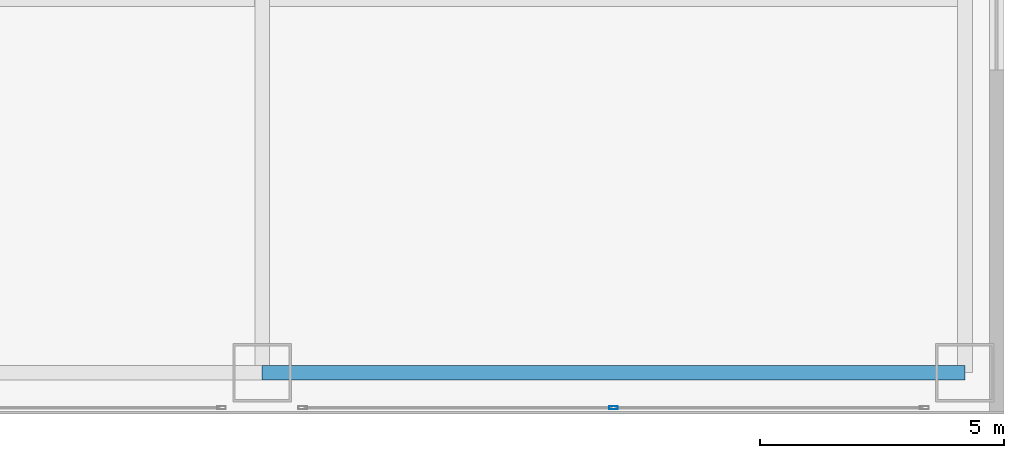
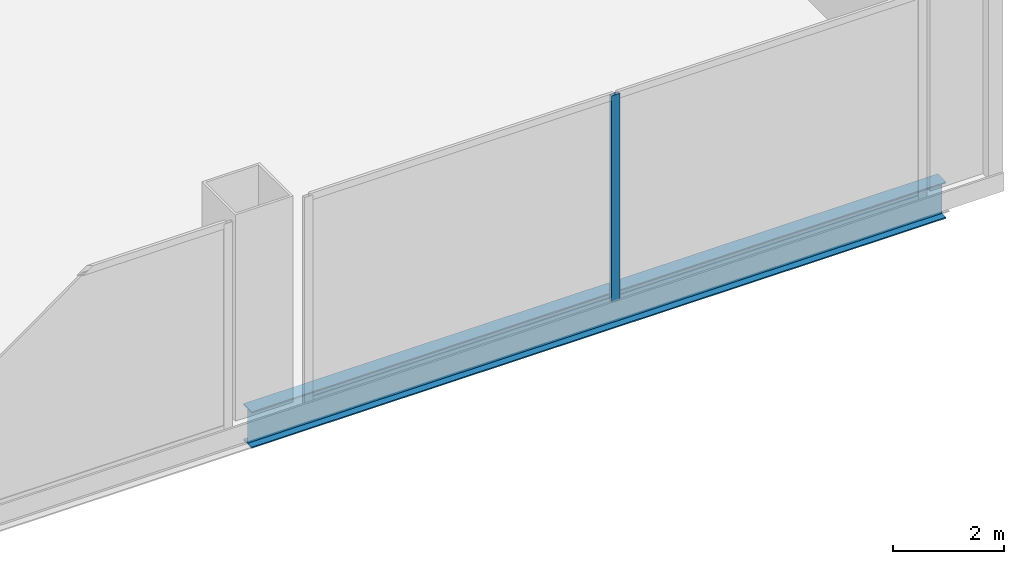
# One storey, part 14 of 40: 1 beam, 1 member, 1 element without a shape of its own.
"""IFC4 building model written with IfcOpenShell, lengths in metres."""

from ifc_helpers import new_model, si_unit, direction, frame, origin, origin_2d, place, context, subcontext, project, spatial, hollow_rectangle, i_section, extrude, source, transform, mapped, material, layer, layer_set, material_profile, profile_set, type_object, element, aggregate, save


model = new_model("IFC4")

# Units and contexts
model_context = context("Model", 3, precision=1e-05, world=origin(), true_north=direction((0.0, 1.0)))
body_context = subcontext(model_context, "Body", "Model", "MODEL_VIEW")
ifc_project = project(units=[si_unit("LENGTHUNIT", "METRE"), si_unit("AREAUNIT", "SQUARE_METRE"), si_unit("VOLUMEUNIT", "CUBIC_METRE"), si_unit("PLANEANGLEUNIT", "RADIAN"), si_unit("MASSUNIT", "GRAM", prefix="KILO"), si_unit("THERMODYNAMICTEMPERATUREUNIT", "KELVIN"), si_unit("POWERUNIT", "WATT")], contexts=[model_context])

# Site, building, storey
site_placement = place(None, origin())
site = spatial("IfcSite", under=ifc_project, at=site_placement, CompositionType="ELEMENT")
building_placement = place(site_placement, origin())
building = spatial("IfcBuilding", under=site, at=building_placement, Name="Yunzhuo Pagoda Commons", CompositionType="ELEMENT")
storey_placement = place(building_placement, frame((0.0, 0.0, 14.39990234375)))
storey = spatial("IfcBuildingStorey", under=building, at=storey_placement, Name="L04", CompositionType="ELEMENT", Elevation=14.39990234375)

# Beam
ifc_material_1 = material(Name="Structural steel Q355B", Category="steel")
ifc_material_profile_1 = material_profile(ifc_material_1, i_section(OverallWidth=0.300048828125, OverallDepth=0.800048828125, WebThickness=0.013916015625, FlangeThickness=0.02587890625, at=origin_2d()), Name="Structural steel Q355B")
ifc_profile_set_1 = profile_set([ifc_material_profile_1], Name="Structural steel Q355B")
beam_type = type_object("IfcBeamType", Name="B-PD2 Beam HN 800x300x14x26", PredefinedType="BEAM", material=ifc_profile_set_1)
shared_shape_1 = source(origin(), body_context, "Body", "SweptSolid", [
    extrude(i_section(OverallWidth=0.300048828125, OverallDepth=0.800048828125, WebThickness=0.013916015625, FlangeThickness=0.02587890625, at=origin_2d()), origin(), (0.0, 0.0, 1.0), 14.39990234375),
])
beam_placement = place(storey_placement, frame((76.800048828125, 6.800048828125, -0.679931640625), z_axis=(1.0, 0.0, 0.0), x_axis=(0.0, 1.0, 0.0)))
element("IfcBeam", 1, at=beam_placement, inside=storey, type_object=beam_type, Name="L04 podium girder EW 1.5", PredefinedType="BEAM", context=body_context, shape_type="MappedRepresentation", body=[
    mapped(shared_shape_1, transform((0.0, 0.0, 0.0), scale=1.0)),
])

# Curtain wall, member
ifc_material_2 = material(Name="Anodized aluminium 6063-T6", Category="aluminium")
ifc_layer = layer(ifc_material_2, 0.179931640625)
ifc_layer_set = layer_set([ifc_layer], Name="Anodized aluminium 6063-T6")
curtain_wall_type = type_object("IfcCurtainWallType", Name="CW-POD Waterfront Podium Curtain Wall", PredefinedType="NOTDEFINED", material=ifc_layer_set)
curtain_wall_placement = place(storey_placement, origin())
curtain_wall = element("IfcCurtainWall", 2, at=curtain_wall_placement, inside=storey, type_object=curtain_wall_type, Name="L04 curtain wall CW-L04-S5", PredefinedType="NOTDEFINED")
ifc_material_profile_2 = material_profile(ifc_material_2, hollow_rectangle(XDim=0.06494140625, YDim=0.179931640625, WallThickness=0.00390625, at=origin_2d()), Name="Anodized aluminium 6063-T6")
ifc_profile_set_2 = profile_set([ifc_material_profile_2], Name="Anodized aluminium 6063-T6")
member_type = type_object("IfcMemberType", Name="CW-POD-M Mullion RHS 180x65x4", PredefinedType="MULLION", material=ifc_profile_set_2)
shared_shape_2 = source(origin(), body_context, "Body", "SweptSolid", [
    extrude(hollow_rectangle(XDim=0.06494140625, YDim=0.179931640625, WallThickness=0.00390625, at=origin_2d()), origin(), (0.0, 0.0, 1.0), 4.52001953125),
])
member_placement = place(storey_placement, frame((84.0, 6.080078125, 0.0), z_axis=(0.0, 0.0, 1.0), x_axis=(0.0, 1.0, 0.0)))
member = element("IfcMember", 3, at=member_placement, type_object=member_type, Name="CW mullion 2", PredefinedType="MULLION", context=body_context, shape_type="MappedRepresentation", body=[
    mapped(shared_shape_2, transform((0.0, 0.0, 0.0), scale=1.0)),
])
aggregate(curtain_wall, [member])

save(model, "model.ifc")
